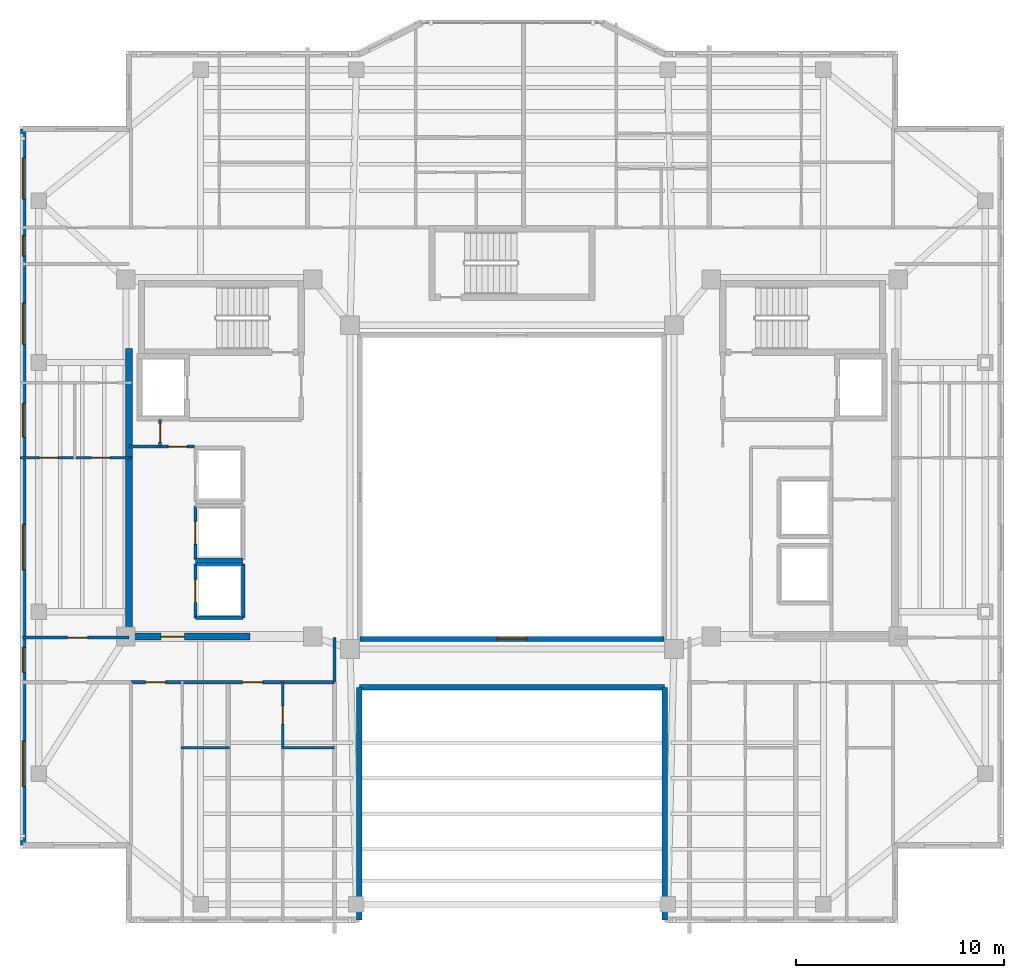
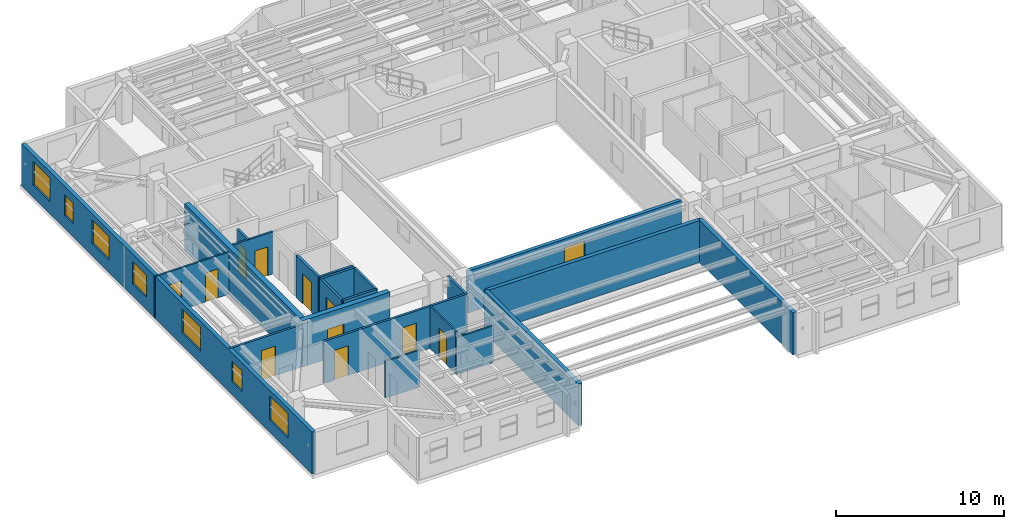
# One storey, part 5 of 13: 22 walls, 11 doors, 8 windows, 19 openings.
"""IFC4 building model written with IfcOpenShell, lengths in metres."""

import ifcopenshell
import ifcopenshell.guid

model = None  # the IFC model being written
_history = None  # IfcOwnerHistory: only IFC2X3 demands one
_inside = {}  # id of a spatial element -> (the spatial element, [elements in it])
_under = {}  # id of a project, library or spatial element -> (it, [spatial elements below it])
_declared = {}  # id of a project -> (the project, [libraries it declares])
_typed = {}  # id of a type object -> (the type object, [elements of that type])
_made_of = {}  # id of a material, layer set ... -> (it, [elements and type objects made of it])


def new_model(schema):
    """Start an empty IFC model of exactly this schema.

    Asked for "IFC4X3", IfcOpenShell would pick the latest addendum, in which some entities
    have other attributes; the version numbers below select the first issue.
    IFC2X3 requires an IfcOwnerHistory on every rooted entity: one is made here for all.
    """
    global model, _history
    if schema == "IFC4X3":
        model = ifcopenshell.file(schema_version=(4, 3, 0, 0))
    else:
        model = ifcopenshell.file(schema=schema)
    _inside.clear()
    _under.clear()
    _declared.clear()
    _typed.clear()
    _made_of.clear()
    _history = None
    if model.schema == "IFC2X3":
        org = make("IfcOrganization", Name="unknown")
        user = make(
            "IfcPersonAndOrganization",
            ThePerson=make("IfcPerson", FamilyName="unknown"),
            TheOrganization=org,
        )
        app = make(
            "IfcApplication",
            ApplicationDeveloper=org,
            Version="unknown",
            ApplicationFullName="unknown",
            ApplicationIdentifier="unknown",
        )
        _history = make(
            "IfcOwnerHistory",
            OwningUser=user,
            OwningApplication=app,
            ChangeAction="ADDED",
            CreationDate=0,
        )
    return model


def make(cls, **values):
    """One entity of the class cls with the attributes given. An attribute that is None is left unset."""
    return model.create_entity(
        cls, **{name: value for name, value in values.items() if value is not None}
    )


def rooted(cls, **values):
    """An entity with a GlobalId (a new one), such as an element, a storey or a relation."""
    return make(cls, GlobalId=ifcopenshell.guid.new(), OwnerHistory=_history, **values)


def si_unit(unit_type, name, prefix=None):
    """IfcSIUnit, for example si_unit("LENGTHUNIT", "METRE", prefix="MILLI")."""
    return make("IfcSIUnit", UnitType=unit_type, Prefix=prefix, Name=name)


def assignment(units):
    """IfcUnitAssignment: the units of a project."""
    return None if units is None else make("IfcUnitAssignment", Units=units)


def point(xyz):
    """IfcCartesianPoint."""
    return None if xyz is None else make("IfcCartesianPoint", Coordinates=xyz)


def direction(xyz):
    """IfcDirection."""
    return None if xyz is None else make("IfcDirection", DirectionRatios=xyz)


def frame(location, z_axis=None, x_axis=None):
    """IfcAxis2Placement3D, a coordinate frame: its origin and axes. An axis left out is left unset."""
    return make(
        "IfcAxis2Placement3D",
        Location=point(location),
        Axis=direction(z_axis),
        RefDirection=direction(x_axis),
    )


def frame_2d(location, x_axis=None):
    """IfcAxis2Placement2D, a coordinate frame in the plane: its origin and x axis."""
    return make(
        "IfcAxis2Placement2D", Location=point(location), RefDirection=direction(x_axis)
    )


def origin():
    """The frame at (0, 0, 0) with its axes left unset."""
    return frame((0.0, 0.0, 0.0))


def place(relative_to, where):
    """IfcLocalPlacement: puts the frame where relative to a parent placement (None: the world)."""
    return make(
        "IfcLocalPlacement", PlacementRelTo=relative_to, RelativePlacement=where
    )


def context(
    kind, dimensions, precision=None, world=None, true_north=None, identifier=None
):
    """IfcGeometricRepresentationContext, for example the 3D "Model" context."""
    return make(
        "IfcGeometricRepresentationContext",
        ContextIdentifier=identifier,
        ContextType=kind,
        CoordinateSpaceDimension=dimensions,
        Precision=precision,
        WorldCoordinateSystem=world,
        TrueNorth=true_north,
    )


def subcontext(parent, identifier, kind, view, scale=None):
    """IfcGeometricRepresentationSubContext, for example "Body" below "Model"."""
    return make(
        "IfcGeometricRepresentationSubContext",
        ContextIdentifier=identifier,
        ContextType=kind,
        ParentContext=parent,
        TargetScale=scale,
        TargetView=view,
    )


def project(units=None, contexts=None):
    """IfcProject with its units and contexts."""
    return rooted(
        "IfcProject",
        Name="project",
        RepresentationContexts=contexts,
        UnitsInContext=assignment(units),
    )


def spatial(cls, under=None, at=None, **own):
    """A site, building, storey or space (cls), placed at a placement, below another one or the project."""
    s = rooted(cls, ObjectPlacement=at, **own)
    if under is not None:
        _under.setdefault(under.id(), (under, []))[1].append(s)
    return s


def profile(cls, at=None, kind="AREA", **sizes):
    """A parametric profile (cls). Its sizes go by their IFC names, for example OverallWidth=200.0."""
    return make(cls, ProfileType=kind, Position=at, **sizes)


def rectangle(**sizes):
    """IfcRectangleProfileDef."""
    return profile("IfcRectangleProfileDef", **sizes)


def extrude(swept, where, along, depth):
    """IfcExtrudedAreaSolid: the profile swept, set in the frame where, extruded along a direction by depth."""
    return make(
        "IfcExtrudedAreaSolid",
        SweptArea=swept,
        Position=where,
        ExtrudedDirection=direction(along),
        Depth=depth,
    )


def shape(context_of_items, identifier, shape_type, items):
    """IfcShapeRepresentation: the items that make up one representation, for example the "Body"."""
    return make(
        "IfcShapeRepresentation",
        ContextOfItems=context_of_items,
        RepresentationIdentifier=identifier,
        RepresentationType=shape_type,
        Items=items,
    )


def material(Name=None, Category=None):
    """IfcMaterial."""
    return make("IfcMaterial", Name=Name, Category=Category)


def layer(
    of_material, thickness, ventilated=None, Name=None, Category=None, Priority=None
):
    """IfcMaterialLayer: one layer of a wall or slab, of a material (None: an air gap)."""
    return make(
        "IfcMaterialLayer",
        Material=of_material,
        LayerThickness=thickness,
        IsVentilated=ventilated,
        Name=Name,
        Category=Category,
        Priority=Priority,
    )


def layer_set(layers, Name=None):
    """IfcMaterialLayerSet."""
    return make("IfcMaterialLayerSet", MaterialLayers=layers, LayerSetName=Name)


def made_of(thing, what):
    """Note that an element or type object is made of a material, layer set ...; save() writes the relation."""
    if what is not None:
        _made_of.setdefault(what.id(), (what, []))[1].append(thing)
    return thing


def type_object(cls, material=None, **own):
    """A type object (cls), such as IfcWallType, which elements share."""
    return made_of(rooted(cls, **own), material)


def element(
    cls,
    number,
    at=None,
    inside=None,
    cuts=None,
    type_object=None,
    material=None,
    context=None,
    identifier="Body",
    shape_type=None,
    held_by="IfcProductDefinitionShape",
    body=None,
    shapes=None,
    **own,
):
    """One element of the class cls, such as IfcWall. Its Tag is "e" and its number.

    at: its placement. inside: the storey or other place that contains it. cuts: it is an
    opening in that element (IfcRelVoidsElement). A single representation is given by context,
    identifier, shape_type and body (its items); several are given by shapes. held_by: the class
    of the entity that holds the representations. save() writes the other relations.
    """
    e = rooted(cls, Tag="e%d" % number, ObjectPlacement=at, **own)
    if body is not None:
        shapes = [shape(context, identifier, shape_type, body)]
    if shapes is not None:
        e.Representation = make(held_by, Representations=shapes)
    if inside is not None:
        _inside.setdefault(inside.id(), (inside, []))[1].append(e)
    if cuts is not None:
        rooted(
            "IfcRelVoidsElement", RelatingBuildingElement=cuts, RelatedOpeningElement=e
        )
    if type_object is not None:
        _typed.setdefault(type_object.id(), (type_object, []))[1].append(e)
    return made_of(e, material)


def fill(opening, filler):
    """IfcRelFillsElement: the door or window that sits in an opening."""
    return rooted(
        "IfcRelFillsElement",
        RelatingOpeningElement=opening,
        RelatedBuildingElement=filler,
    )


def aggregate(whole, parts):
    """IfcRelAggregates: a whole, such as a stair, and the parts it consists of."""
    return rooted("IfcRelAggregates", RelatingObject=whole, RelatedObjects=parts)


def save(model, path):
    """Write the relations noted so far, then the file.

    IfcRelAggregates (storeys below a building ...), IfcRelContainedInSpatialStructure (elements
    in a storey), IfcRelDefinesByType, IfcRelAssociatesMaterial and IfcRelDeclares: one each for
    every whole, place, type object, material and project.
    """
    for whole, parts in _under.values():
        aggregate(whole, parts)
    for where, things in _inside.values():
        rooted(
            "IfcRelContainedInSpatialStructure",
            RelatedElements=things,
            RelatingStructure=where,
        )
    for kind, things in _typed.values():
        rooted("IfcRelDefinesByType", RelatedObjects=things, RelatingType=kind)
    for what, things in _made_of.values():
        rooted("IfcRelAssociatesMaterial", RelatedObjects=things, RelatingMaterial=what)
    for by, libraries in _declared.values():
        rooted("IfcRelDeclares", RelatingContext=by, RelatedDefinitions=libraries)
    model.write(path)


model = new_model("IFC4")

# Units and contexts
model_context = context("Model", 3, precision=1e-05, world=origin(), true_north=direction((0.0, 1.0)))
body_context = subcontext(model_context, "Body", "Model", "MODEL_VIEW")
ifc_project = project(units=[si_unit("LENGTHUNIT", "METRE"), si_unit("AREAUNIT", "SQUARE_METRE"), si_unit("VOLUMEUNIT", "CUBIC_METRE"), si_unit("PLANEANGLEUNIT", "RADIAN"), si_unit("MASSUNIT", "GRAM", prefix="KILO")], contexts=[model_context])

# Site, building, storey
site_placement = place(None, origin())
site = spatial("IfcSite", under=ifc_project, at=site_placement, CompositionType="ELEMENT")
building_placement = place(site_placement, origin())
building = spatial("IfcBuilding", under=site, at=building_placement, Name="Tarnavaz Court Tower", CompositionType="ELEMENT")
storey_placement = place(building_placement, frame((0.0, 0.0, 223.75)))
storey = spatial("IfcBuildingStorey", under=building, at=storey_placement, Name="L61", CompositionType="ELEMENT", Elevation=223.75)

# Wall
ifc_material_1 = material(Name="Concrete C50/60", Category="concrete")
ifc_layer_1 = layer(ifc_material_1, 0.35009765625)
ifc_layer_set_1 = layer_set([ifc_layer_1], Name="Concrete C50/60")
wall_type_1 = type_object("IfcWallType", Name="WL-CORE-350-C50", PredefinedType="SHEAR", material=ifc_layer_set_1)
wall_1_placement = place(storey_placement, frame((-18.449951171875, -7.375, 0.0), z_axis=(0.0, 0.0, 1.0), x_axis=(0.0, 1.0, 0.0)))
element("IfcWall", 1, at=wall_1_placement, inside=storey, type_object=wall_type_1, Name="L61 West Core Shear Wall 045", PredefinedType="SHEAR", context=body_context, shape_type="SweptSolid", body=[
    extrude(rectangle(XDim=14.050048828125, YDim=0.35009765625, at=frame_2d((7.02490234375, 0.0))), origin(), (0.0, 0.0, 1.0), 3.35009765625),
])

# Wall, opening, door
wall_2_placement = place(storey_placement, frame((-18.625, -7.199951171875, 0.0), z_axis=(0.0, 0.0, 1.0), x_axis=(1.0, 0.0, 0.0)))
wall_2 = element("IfcWall", 2, at=wall_2_placement, inside=storey, type_object=wall_type_1, Name="L61 West Core South Shear Wall 046", PredefinedType="SHEAR", context=body_context, shape_type="SweptSolid", body=[
    extrude(rectangle(XDim=6.0, YDim=0.35009765625, at=frame_2d((3.0, 0.0))), origin(), (0.0, 0.0, 1.0), 3.35009765625),
])
opening_1_placement = place(wall_2_placement, frame((1.72509765625, 0.0, 0.0)))
opening_1 = element("IfcOpeningElement", 3, at=opening_1_placement, cuts=wall_2, Name="Opening D04", PredefinedType="OPENING", context=body_context, shape_type="SweptSolid", body=[
    extrude(rectangle(XDim=1.1201171875, YDim=2.14990234375, at=frame_2d((0.56005859375, 1.074951171875))), frame((0.0, 0.18505859375, 0.0), z_axis=(0.0, -1.0, 0.0), x_axis=(1.0, 0.0, 0.0)), (0.0, 0.0, 1.0), 0.3701171875),
])
ifc_material_2 = material(Name="Fire-Rated Hardwood Timber Core", Category="wood")
door_type_1 = type_object("IfcDoorType", Name="DR-FD60-1100", OperationType="NOTDEFINED", PredefinedType="DOOR", material=ifc_material_2)
door_1_placement = place(opening_1_placement, origin())
door_1 = element("IfcDoor", 4, at=door_1_placement, inside=storey, type_object=door_type_1, Name="L61 West High-Rise Lift Lobby Door", OperationType="SINGLE_SWING_LEFT", OverallHeight=2.14990234375, OverallWidth=1.1201171875, PredefinedType="DOOR", context=body_context, shape_type="SweptSolid", body=[
    extrude(rectangle(XDim=1.1201171875, YDim=2.14990234375, at=frame_2d((0.56005859375, 1.074951171875))), frame((0.0, 0.02490234375, 0.0), z_axis=(0.0, -1.0, 0.0), x_axis=(1.0, 0.0, 0.0)), (0.0, 0.0, 1.0), 0.050048828125),
])
fill(opening_1, door_1)

# Wall, openings, windows
ifc_material_3 = material(Name="Precast Concrete C40/50", Category="concrete")
ifc_layer_2 = layer(ifc_material_3, 0.260009765625)
ifc_layer_set_2 = layer_set([ifc_layer_2], Name="Precast Concrete C40/50")
wall_type_2 = type_object("IfcWallType", Name="WL-EXT-260", PredefinedType="SOLIDWALL", material=ifc_layer_set_2)
wall_3_placement = place(storey_placement, frame((-23.550048828125, -17.25, 0.0), z_axis=(0.0, 0.0, 1.0), x_axis=(0.0, 1.0, 0.0)))
wall_3 = element("IfcWall", 5, at=wall_3_placement, inside=storey, type_object=wall_type_2, Name="L61 Exterior Terracotta Facade Wall 02", PredefinedType="SOLIDWALL", context=body_context, shape_type="SweptSolid", body=[
    extrude(rectangle(XDim=34.5, YDim=0.260009765625, at=frame_2d((17.25, 0.0))), origin(), (0.0, 0.0, 1.0), 3.050048828125),
])
opening_2_placement = place(wall_3_placement, frame((2.824951171875, 0.0, 0.89990234375)))
opening_2 = element("IfcOpeningElement", 6, at=opening_2_placement, cuts=wall_3, Name="Opening W07", PredefinedType="OPENING", context=body_context, shape_type="SweptSolid", body=[
    extrude(rectangle(XDim=2.199951171875, YDim=1.75, at=frame_2d((1.10009765625, 0.875))), frame((0.0, 0.139892578125, 0.0), z_axis=(0.0, -1.0, 0.0), x_axis=(1.0, 0.0, 0.0)), (0.0, 0.0, 1.0), 0.280029296875),
])
opening_3_placement = place(wall_3_placement, frame((8.324951171875, 0.0, 0.949951171875)))
opening_3 = element("IfcOpeningElement", 7, at=opening_3_placement, cuts=wall_3, Name="Opening W05", PredefinedType="OPENING", context=body_context, shape_type="SweptSolid", body=[
    extrude(rectangle(XDim=1.199951171875, YDim=1.5, at=frame_2d((0.60009765625, 0.75))), frame((0.0, 0.139892578125, 0.0), z_axis=(0.0, -1.0, 0.0), x_axis=(1.0, 0.0, 0.0)), (0.0, 0.0, 1.0), 0.280029296875),
])
opening_4_placement = place(wall_3_placement, frame((13.25, 0.0, 0.89990234375)))
opening_4 = element("IfcOpeningElement", 8, at=opening_4_placement, cuts=wall_3, Name="Opening W07", PredefinedType="OPENING", context=body_context, shape_type="SweptSolid", body=[
    extrude(rectangle(XDim=2.199951171875, YDim=1.75, at=frame_2d((1.10009765625, 0.875))), frame((0.0, 0.139892578125, 0.0), z_axis=(0.0, -1.0, 0.0), x_axis=(1.0, 0.0, 0.0)), (0.0, 0.0, 1.0), 0.280029296875),
])
opening_5_placement = place(wall_3_placement, frame((19.64990234375, 0.0, 0.89990234375)))
opening_5 = element("IfcOpeningElement", 9, at=opening_5_placement, cuts=wall_3, Name="Opening W02", PredefinedType="OPENING", context=body_context, shape_type="SweptSolid", body=[
    extrude(rectangle(XDim=1.64990234375, YDim=1.60009765625, at=frame_2d((0.824951171875, 0.800048828125))), frame((0.0, 0.139892578125, 0.0), z_axis=(0.0, -1.0, 0.0), x_axis=(1.0, 0.0, 0.0)), (0.0, 0.0, 1.0), 0.280029296875),
])
opening_6_placement = place(wall_3_placement, frame((24.125, 0.0, 0.89990234375)))
opening_6 = element("IfcOpeningElement", 10, at=opening_6_placement, cuts=wall_3, Name="Opening W08", PredefinedType="OPENING", context=body_context, shape_type="SweptSolid", body=[
    extrude(rectangle(XDim=2.0, YDim=1.699951171875, at=frame_2d((1.0, 0.85009765625))), frame((0.0, 0.139892578125, 0.0), z_axis=(0.0, -1.0, 0.0), x_axis=(1.0, 0.0, 0.0)), (0.0, 0.0, 1.0), 0.280029296875),
])
opening_7_placement = place(wall_3_placement, frame((28.375, 0.0, 0.949951171875)))
opening_7 = element("IfcOpeningElement", 11, at=opening_7_placement, cuts=wall_3, Name="Opening W14", PredefinedType="OPENING", context=body_context, shape_type="SweptSolid", body=[
    extrude(rectangle(XDim=1.0, YDim=1.5, at=frame_2d((0.5, 0.75))), frame((0.0, 0.139892578125, 0.0), z_axis=(0.0, -1.0, 0.0), x_axis=(1.0, 0.0, 0.0)), (0.0, 0.0, 1.0), 0.280029296875),
])
opening_8_placement = place(wall_3_placement, frame((31.125, 0.0, 0.89990234375)))
opening_8 = element("IfcOpeningElement", 12, at=opening_8_placement, cuts=wall_3, Name="Opening W08", PredefinedType="OPENING", context=body_context, shape_type="SweptSolid", body=[
    extrude(rectangle(XDim=2.0, YDim=1.699951171875, at=frame_2d((1.0, 0.85009765625))), frame((0.0, 0.139892578125, 0.0), z_axis=(0.0, -1.0, 0.0), x_axis=(1.0, 0.0, 0.0)), (0.0, 0.0, 1.0), 0.280029296875),
])
ifc_material_4 = material(Name="Double-Glazed Solar Low-E Glass", Category="glass")
window_type_1 = type_object("IfcWindowType", Name="WN-APT-1000", PartitioningType="SINGLE_PANEL", PredefinedType="WINDOW", material=ifc_material_4)
window_1_placement = place(opening_7_placement, origin())
window_1 = element("IfcWindow", 13, at=window_1_placement, inside=storey, type_object=window_type_1, Name="L61 North-West Corner Corridor Window", OverallHeight=1.5, OverallWidth=1.0, PartitioningType="SINGLE_PANEL", PredefinedType="WINDOW", context=body_context, shape_type="SweptSolid", body=[
    extrude(rectangle(XDim=1.0, YDim=1.5, at=frame_2d((0.5, 0.75))), frame((0.0, 0.030029296875, 0.0), z_axis=(0.0, -1.0, 0.0), x_axis=(1.0, 0.0, 0.0)), (0.0, 0.0, 1.0), 0.06005859375),
])
fill(opening_7, window_1)
window_type_2 = type_object("IfcWindowType", Name="WN-APT-1200", PartitioningType="SINGLE_PANEL", PredefinedType="WINDOW", material=ifc_material_4)
window_2_placement = place(opening_3_placement, origin())
window_2 = element("IfcWindow", 14, at=window_2_placement, inside=storey, type_object=window_type_2, Name="L61 South-West Corner Corridor Window", OverallHeight=1.5, OverallWidth=1.199951171875, PartitioningType="SINGLE_PANEL", PredefinedType="WINDOW", context=body_context, shape_type="SweptSolid", body=[
    extrude(rectangle(XDim=1.199951171875, YDim=1.5, at=frame_2d((0.60009765625, 0.75))), frame((0.0, 0.030029296875, 0.0), z_axis=(0.0, -1.0, 0.0), x_axis=(1.0, 0.0, 0.0)), (0.0, 0.0, 1.0), 0.06005859375),
])
fill(opening_3, window_2)
window_type_3 = type_object("IfcWindowType", Name="WN-APT-1650", PartitioningType="DOUBLE_PANEL_VERTICAL", PredefinedType="WINDOW", material=ifc_material_4)
window_3_placement = place(opening_5_placement, origin())
window_3 = element("IfcWindow", 15, at=window_3_placement, inside=storey, type_object=window_type_3, Name="L61 Flat 09 Kitchen Window", OverallHeight=1.60009765625, OverallWidth=1.64990234375, PartitioningType="SINGLE_PANEL", PredefinedType="WINDOW", context=body_context, shape_type="SweptSolid", body=[
    extrude(rectangle(XDim=1.64990234375, YDim=1.60009765625, at=frame_2d((0.824951171875, 0.800048828125))), frame((0.0, 0.030029296875, 0.0), z_axis=(0.0, -1.0, 0.0), x_axis=(1.0, 0.0, 0.0)), (0.0, 0.0, 1.0), 0.06005859375),
])
fill(opening_5, window_3)
window_type_4 = type_object("IfcWindowType", Name="WN-APT-2000", PartitioningType="DOUBLE_PANEL_VERTICAL", PredefinedType="WINDOW", material=ifc_material_4)
window_4_placement = place(opening_6_placement, origin())
window_4 = element("IfcWindow", 16, at=window_4_placement, inside=storey, type_object=window_type_4, Name="L61 Flat 09 Study Room Window", OverallHeight=1.699951171875, OverallWidth=2.0, PartitioningType="SINGLE_PANEL", PredefinedType="WINDOW", context=body_context, shape_type="SweptSolid", body=[
    extrude(rectangle(XDim=2.0, YDim=1.699951171875, at=frame_2d((1.0, 0.85009765625))), frame((0.0, 0.030029296875, 0.0), z_axis=(0.0, -1.0, 0.0), x_axis=(1.0, 0.0, 0.0)), (0.0, 0.0, 1.0), 0.06005859375),
])
fill(opening_6, window_4)
window_5_placement = place(opening_8_placement, origin())
window_5 = element("IfcWindow", 17, at=window_5_placement, inside=storey, type_object=window_type_4, Name="L61 North-West Corner Sunroom Study Window", OverallHeight=1.699951171875, OverallWidth=2.0, PartitioningType="SINGLE_PANEL", PredefinedType="WINDOW", context=body_context, shape_type="SweptSolid", body=[
    extrude(rectangle(XDim=2.0, YDim=1.699951171875, at=frame_2d((1.0, 0.85009765625))), frame((0.0, 0.030029296875, 0.0), z_axis=(0.0, -1.0, 0.0), x_axis=(1.0, 0.0, 0.0)), (0.0, 0.0, 1.0), 0.06005859375),
])
fill(opening_8, window_5)
window_type_5 = type_object("IfcWindowType", Name="WN-APT-2200", PartitioningType="TRIPLE_PANEL_VERTICAL", PredefinedType="WINDOW", material=ifc_material_4)
window_6_placement = place(opening_2_placement, origin())
window_6 = element("IfcWindow", 18, at=window_6_placement, inside=storey, type_object=window_type_5, Name="L61 South-West Corner Reading Room Window", OverallHeight=1.75, OverallWidth=2.199951171875, PartitioningType="SINGLE_PANEL", PredefinedType="WINDOW", context=body_context, shape_type="SweptSolid", body=[
    extrude(rectangle(XDim=2.199951171875, YDim=1.75, at=frame_2d((1.10009765625, 0.875))), frame((0.0, 0.030029296875, 0.0), z_axis=(0.0, -1.0, 0.0), x_axis=(1.0, 0.0, 0.0)), (0.0, 0.0, 1.0), 0.06005859375),
])
fill(opening_2, window_6)
window_7_placement = place(opening_4_placement, origin())
window_7 = element("IfcWindow", 19, at=window_7_placement, inside=storey, type_object=window_type_5, Name="L61 Flat 09 Studio Living and Sleeping Room Window", OverallHeight=1.75, OverallWidth=2.199951171875, PartitioningType="SINGLE_PANEL", PredefinedType="WINDOW", context=body_context, shape_type="SweptSolid", body=[
    extrude(rectangle(XDim=2.199951171875, YDim=1.75, at=frame_2d((1.10009765625, 0.875))), frame((0.0, 0.030029296875, 0.0), z_axis=(0.0, -1.0, 0.0), x_axis=(1.0, 0.0, 0.0)), (0.0, 0.0, 1.0), 0.06005859375),
])
fill(opening_4, window_7)

# Walls
wall_4_placement = place(storey_placement, frame((7.35009765625, -20.85009765625, 0.0), z_axis=(0.0, 0.0, 1.0), x_axis=(0.0, 1.0, 0.0)))
element("IfcWall", 20, at=wall_4_placement, inside=storey, type_object=wall_type_2, Name="L61 Exterior Terracotta Facade Wall 16", PredefinedType="SOLIDWALL", context=body_context, shape_type="SweptSolid", body=[
    extrude(rectangle(XDim=11.2001953125, YDim=0.260009765625, at=frame_2d((5.60009765625, 0.0))), origin(), (0.0, 0.0, 1.0), 3.050048828125),
])
wall_5_placement = place(storey_placement, frame((7.35009765625, -9.64990234375, 0.0), z_axis=(0.0, 0.0, 1.0), x_axis=(-1.0, 0.0, 0.0)))
element("IfcWall", 21, at=wall_5_placement, inside=storey, type_object=wall_type_2, Name="L61 Exterior Terracotta Facade Wall 17", PredefinedType="SOLIDWALL", context=body_context, shape_type="SweptSolid", body=[
    extrude(rectangle(XDim=14.7001953125, YDim=0.260009765625, at=frame_2d((7.35009765625, 0.0))), origin(), (0.0, 0.0, 1.0), 3.050048828125),
])
wall_6_placement = place(storey_placement, frame((-7.35009765625, -9.64990234375, 0.0), z_axis=(0.0, 0.0, 1.0), x_axis=(0.0, -1.0, 0.0)))
element("IfcWall", 22, at=wall_6_placement, inside=storey, type_object=wall_type_2, Name="L61 Exterior Terracotta Facade Wall 18", PredefinedType="SOLIDWALL", context=body_context, shape_type="SweptSolid", body=[
    extrude(rectangle(XDim=11.2001953125, YDim=0.260009765625, at=frame_2d((5.60009765625, 0.0))), origin(), (0.0, 0.0, 1.0), 3.050048828125),
])

# Wall, openings, doors
ifc_material_5 = material(Name="Gypsum Fire-Board on Acoustic Metal Stud", Category="masonry")
ifc_layer_3 = layer(ifc_material_5, 0.14990234375)
ifc_layer_set_3 = layer_set([ifc_layer_3], Name="Gypsum Fire-Board on Acoustic Metal Stud")
wall_type_3 = type_object("IfcWallType", Name="WL-FIRE-150", PredefinedType="PARTITIONING", material=ifc_layer_set_3)
wall_7_placement = place(storey_placement, frame((-18.35009765625, -9.39990234375, 0.0), z_axis=(0.0, 0.0, 1.0), x_axis=(1.0, 0.0, 0.0)))
wall_7 = element("IfcWall", 23, at=wall_7_placement, inside=storey, type_object=wall_type_3, Name="L61 SW Lobby Wall 060", PredefinedType="PARTITIONING", context=body_context, shape_type="SweptSolid", body=[
    extrude(rectangle(XDim=9.800048828125, YDim=0.14990234375, at=frame_2d((4.89990234375, 0.0))), origin(), (0.0, 0.0, 1.0), 3.050048828125),
])
opening_9_placement = place(wall_7_placement, frame((0.699951171875, 0.0, 0.0)))
opening_9 = element("IfcOpeningElement", 24, at=opening_9_placement, cuts=wall_7, Name="Opening D06", PredefinedType="OPENING", context=body_context, shape_type="SweptSolid", body=[
    extrude(rectangle(XDim=0.9599609375, YDim=2.14990234375, at=frame_2d((0.47998046875, 1.074951171875))), frame((0.0, 0.0849609375, 0.0), z_axis=(0.0, -1.0, 0.0), x_axis=(1.0, 0.0, 0.0)), (0.0, 0.0, 1.0), 0.169921875),
])
opening_10_placement = place(wall_7_placement, frame((5.3798828125, 0.0, 0.0)))
opening_10 = element("IfcOpeningElement", 25, at=opening_10_placement, cuts=wall_7, Name="Opening D06", PredefinedType="OPENING", context=body_context, shape_type="SweptSolid", body=[
    extrude(rectangle(XDim=0.9599609375, YDim=2.14990234375, at=frame_2d((0.47998046875, 1.074951171875))), frame((0.0, 0.0849609375, 0.0), z_axis=(0.0, -1.0, 0.0), x_axis=(1.0, 0.0, 0.0)), (0.0, 0.0, 1.0), 0.169921875),
])
door_type_2 = type_object("IfcDoorType", Name="DR-FD60-950", OperationType="NOTDEFINED", PredefinedType="DOOR", material=ifc_material_2)
door_2_placement = place(opening_9_placement, origin())
door_2 = element("IfcDoor", 26, at=door_2_placement, inside=storey, type_object=door_type_2, Name="L61 Flat 05 Entrance Door", OperationType="SINGLE_SWING_RIGHT", OverallHeight=2.14990234375, OverallWidth=0.9599609375, PredefinedType="DOOR", context=body_context, shape_type="SweptSolid", body=[
    extrude(rectangle(XDim=0.9599609375, YDim=2.14990234375, at=frame_2d((0.47998046875, 1.074951171875))), frame((0.0, 0.02490234375, 0.0), z_axis=(0.0, -1.0, 0.0), x_axis=(1.0, 0.0, 0.0)), (0.0, 0.0, 1.0), 0.050048828125),
])
fill(opening_9, door_2)
door_3_placement = place(opening_10_placement, origin())
door_3 = element("IfcDoor", 27, at=door_3_placement, inside=storey, type_object=door_type_2, Name="L61 Flat 06 Entrance Door", OperationType="SINGLE_SWING_LEFT", OverallHeight=2.14990234375, OverallWidth=0.9599609375, PredefinedType="DOOR", context=body_context, shape_type="SweptSolid", body=[
    extrude(rectangle(XDim=0.9599609375, YDim=2.14990234375, at=frame_2d((0.47998046875, 1.074951171875))), frame((0.0, 0.02490234375, 0.0), z_axis=(0.0, -1.0, 0.0), x_axis=(1.0, 0.0, 0.0)), (0.0, 0.0, 1.0), 0.050048828125),
])
fill(opening_10, door_3)

# Wall
wall_8_placement = place(storey_placement, frame((-8.550048828125, -9.39990234375, 0.0), z_axis=(0.0, 0.0, 1.0), x_axis=(0.0, 1.0, 0.0)))
element("IfcWall", 28, at=wall_8_placement, inside=storey, type_object=wall_type_3, Name="L61 West Spine End Wall 062", PredefinedType="PARTITIONING", context=body_context, shape_type="SweptSolid", body=[
    extrude(rectangle(XDim=2.14990234375, YDim=0.14990234375, at=frame_2d((1.074951171875, 0.0))), origin(), (0.0, 0.0, 1.0), 3.050048828125),
])

# Wall, opening, door
wall_9_placement = place(storey_placement, frame((-23.580078125, -7.25, 0.0), z_axis=(0.0, 0.0, 1.0), x_axis=(1.0, 0.0, 0.0)))
wall_9 = element("IfcWall", 29, at=wall_9_placement, inside=storey, type_object=wall_type_3, Name="L61 Interior Partition 099", PredefinedType="PARTITIONING", context=body_context, shape_type="SweptSolid", body=[
    extrude(rectangle(XDim=5.130126953125, YDim=0.14990234375, at=frame_2d((2.56494140625, 0.0))), origin(), (0.0, 0.0, 1.0), 3.050048828125),
])
opening_11_placement = place(wall_9_placement, frame((2.179931640625, 0.0, 0.0)))
opening_11 = element("IfcOpeningElement", 30, at=opening_11_placement, cuts=wall_9, Name="Opening D06", PredefinedType="OPENING", context=body_context, shape_type="SweptSolid", body=[
    extrude(rectangle(XDim=0.9599609375, YDim=2.14990234375, at=frame_2d((0.47998046875, 1.074951171875))), frame((0.0, 0.0849609375, 0.0), z_axis=(0.0, -1.0, 0.0), x_axis=(1.0, 0.0, 0.0)), (0.0, 0.0, 1.0), 0.169921875),
])
door_4_placement = place(opening_11_placement, origin())
door_4 = element("IfcDoor", 31, at=door_4_placement, inside=storey, type_object=door_type_2, Name="L61 Flat 09 Entrance Door", OperationType="SINGLE_SWING_RIGHT", OverallHeight=2.14990234375, OverallWidth=0.9599609375, PredefinedType="DOOR", context=body_context, shape_type="SweptSolid", body=[
    extrude(rectangle(XDim=0.9599609375, YDim=2.14990234375, at=frame_2d((0.47998046875, 1.074951171875))), frame((0.0, 0.02490234375, 0.0), z_axis=(0.0, -1.0, 0.0), x_axis=(1.0, 0.0, 0.0)), (0.0, 0.0, 1.0), 0.050048828125),
])
fill(opening_11, door_4)

# Wall
ifc_material_6 = material(Name="Moisture-Resistant Gypsum Board Partition", Category="masonry")
ifc_layer_4 = layer(ifc_material_6, 0.1201171875)
ifc_layer_set_4 = layer_set([ifc_layer_4], Name="Moisture-Resistant Gypsum Board Partition")
wall_type_4 = type_object("IfcWallType", Name="WL-PART-120", PredefinedType="PARTITIONING", material=ifc_layer_set_4)
wall_10_placement = place(storey_placement, frame((-15.949951171875, -12.56005859375, 0.0), z_axis=(0.0, 0.0, 1.0), x_axis=(1.0, 0.0, 0.0)))
element("IfcWall", 32, at=wall_10_placement, inside=storey, type_object=wall_type_4, Name="L61 Interior Partition 086", PredefinedType="PARTITIONING", context=body_context, shape_type="SweptSolid", body=[
    extrude(rectangle(XDim=2.33984375, YDim=0.1201171875, at=frame_2d((1.169921875, 0.0))), origin(), (0.0, 0.0, 1.0), 2.675048828125),
])

# Wall, opening, door
wall_11_placement = place(storey_placement, frame((-11.035888671875, -12.56005859375, 0.0), z_axis=(0.0, 0.0, 1.0), x_axis=(0.0, 1.0, 0.0)))
wall_11 = element("IfcWall", 33, at=wall_11_placement, inside=storey, type_object=wall_type_4, Name="L61 Interior Partition 088", PredefinedType="PARTITIONING", context=body_context, shape_type="SweptSolid", body=[
    extrude(rectangle(XDim=3.219970703125, YDim=0.1201171875, at=frame_2d((1.60986328125, 0.0))), origin(), (0.0, 0.0, 1.0), 3.050048828125),
])
opening_12_placement = place(wall_11_placement, frame((1.139892578125, 0.0, 0.0)))
opening_12 = element("IfcOpeningElement", 34, at=opening_12_placement, cuts=wall_11, Name="Opening D14", PredefinedType="OPENING", context=body_context, shape_type="SweptSolid", body=[
    extrude(rectangle(XDim=0.8798828125, YDim=2.10009765625, at=frame_2d((0.43994140625, 1.050048828125))), frame((0.0, 0.070068359375, 0.0), z_axis=(0.0, -1.0, 0.0), x_axis=(1.0, 0.0, 0.0)), (0.0, 0.0, 1.0), 0.14013671875),
])
ifc_material_7 = material(Name="Engineered Oak Timber", Category="wood")
door_type_3 = type_object("IfcDoorType", Name="DR-INT-900", OperationType="NOTDEFINED", PredefinedType="DOOR", material=ifc_material_7)
door_5_placement = place(opening_12_placement, origin())
door_5 = element("IfcDoor", 35, at=door_5_placement, inside=storey, type_object=door_type_3, Name="L61 Flat 06 Bathroom Door", OperationType="SINGLE_SWING_LEFT", OverallHeight=2.10009765625, OverallWidth=0.8798828125, PredefinedType="DOOR", context=body_context, shape_type="SweptSolid", body=[
    extrude(rectangle(XDim=0.8798828125, YDim=2.10009765625, at=frame_2d((0.43994140625, 1.050048828125))), frame((0.0, 0.02490234375, 0.0), z_axis=(0.0, -1.0, 0.0), x_axis=(1.0, 0.0, 0.0)), (0.0, 0.0, 1.0), 0.050048828125),
])
fill(opening_12, door_5)

# Wall
wall_12_placement = place(storey_placement, frame((-11.095947265625, -12.56005859375, 0.0), z_axis=(0.0, 0.0, 1.0), x_axis=(1.0, 0.0, 0.0)))
element("IfcWall", 36, at=wall_12_placement, inside=storey, type_object=wall_type_4, Name="L61 Interior Partition 089", PredefinedType="PARTITIONING", context=body_context, shape_type="SweptSolid", body=[
    extrude(rectangle(XDim=2.555908203125, YDim=0.1201171875, at=frame_2d((1.27783203125, 0.0))), origin(), (0.0, 0.0, 1.0), 2.675048828125),
])

# Wall, openings, doors
wall_13_placement = place(storey_placement, frame((-23.699951171875, 1.419921875, 0.0), z_axis=(0.0, 0.0, 1.0), x_axis=(1.0, 0.0, 0.0)))
wall_13 = element("IfcWall", 37, at=wall_13_placement, inside=storey, type_object=wall_type_4, Name="L61 Interior Partition 111", PredefinedType="PARTITIONING", context=body_context, shape_type="SweptSolid", body=[
    extrude(rectangle(XDim=5.369873046875, YDim=0.1201171875, at=frame_2d((2.68505859375, 0.0))), origin(), (0.0, 0.0, 1.0), 3.050048828125),
])
opening_13_placement = place(wall_13_placement, frame((0.93701171875, 0.0, 0.0)))
opening_13 = element("IfcOpeningElement", 38, at=opening_13_placement, cuts=wall_13, Name="Opening D14", PredefinedType="OPENING", context=body_context, shape_type="SweptSolid", body=[
    extrude(rectangle(XDim=0.8798828125, YDim=2.10009765625, at=frame_2d((0.43994140625, 1.050048828125))), frame((0.0, 0.070068359375, 0.0), z_axis=(0.0, -1.0, 0.0), x_axis=(1.0, 0.0, 0.0)), (0.0, 0.0, 1.0), 0.14013671875),
])
opening_14_placement = place(wall_13_placement, frame((3.451904296875, 0.0, 0.0)))
opening_14 = element("IfcOpeningElement", 39, at=opening_14_placement, cuts=wall_13, Name="Opening D14", PredefinedType="OPENING", context=body_context, shape_type="SweptSolid", body=[
    extrude(rectangle(XDim=0.8798828125, YDim=2.10009765625, at=frame_2d((0.43994140625, 1.050048828125))), frame((0.0, 0.070068359375, 0.0), z_axis=(0.0, -1.0, 0.0), x_axis=(1.0, 0.0, 0.0)), (0.0, 0.0, 1.0), 0.14013671875),
])
door_6_placement = place(opening_13_placement, origin())
door_6 = element("IfcDoor", 40, at=door_6_placement, inside=storey, type_object=door_type_3, Name="L61 Flat 09 Kitchen Door", OperationType="SINGLE_SWING_LEFT", OverallHeight=2.10009765625, OverallWidth=0.8798828125, PredefinedType="DOOR", context=body_context, shape_type="SweptSolid", body=[
    extrude(rectangle(XDim=0.8798828125, YDim=2.10009765625, at=frame_2d((0.43994140625, 1.050048828125))), frame((0.0, 0.02490234375, 0.0), z_axis=(0.0, -1.0, 0.0), x_axis=(1.0, 0.0, 0.0)), (0.0, 0.0, 1.0), 0.050048828125),
])
fill(opening_13, door_6)
door_7_placement = place(opening_14_placement, origin())
door_7 = element("IfcDoor", 41, at=door_7_placement, inside=storey, type_object=door_type_3, Name="L61 Flat 09 Bathroom Door", OperationType="SINGLE_SWING_RIGHT", OverallHeight=2.10009765625, OverallWidth=0.8798828125, PredefinedType="DOOR", context=body_context, shape_type="SweptSolid", body=[
    extrude(rectangle(XDim=0.8798828125, YDim=2.10009765625, at=frame_2d((0.43994140625, 1.050048828125))), frame((0.0, 0.02490234375, 0.0), z_axis=(0.0, -1.0, 0.0), x_axis=(1.0, 0.0, 0.0)), (0.0, 0.0, 1.0), 0.050048828125),
])
fill(opening_14, door_7)

# Wall, opening, door
ifc_material_8 = material(Name="Gypsum Plasterboard Acoustic Partition", Category="masonry")
ifc_layer_5 = layer(ifc_material_8, 0.139892578125)
ifc_layer_set_5 = layer_set([ifc_layer_5], Name="Gypsum Plasterboard Acoustic Partition")
wall_type_5 = type_object("IfcWallType", Name="WL-PART-150", PredefinedType="PARTITIONING", material=ifc_layer_set_5)
wall_14_placement = place(storey_placement, frame((-18.449951171875, 1.949951171875, 0.0), z_axis=(0.0, 0.0, 1.0), x_axis=(1.0, 0.0, 0.0)))
wall_14 = element("IfcWall", 42, at=wall_14_placement, inside=storey, type_object=wall_type_5, Name="L61 Interior Partition 049", PredefinedType="PARTITIONING", context=body_context, shape_type="SweptSolid", body=[
    extrude(rectangle(XDim=3.14990234375, YDim=0.139892578125, at=frame_2d((1.574951171875, 0.0))), origin(), (0.0, 0.0, 1.0), 3.050048828125),
])
opening_15_placement = place(wall_14_placement, frame((1.89990234375, 0.0, 0.0)))
opening_15 = element("IfcOpeningElement", 43, at=opening_15_placement, cuts=wall_14, Name="Opening D09", PredefinedType="OPENING", context=body_context, shape_type="SweptSolid", body=[
    extrude(rectangle(XDim=0.89990234375, YDim=2.080078125, at=frame_2d((0.449951171875, 1.0400390625))), frame((0.0, 0.079833984375, 0.0), z_axis=(0.0, -1.0, 0.0), x_axis=(1.0, 0.0, 0.0)), (0.0, 0.0, 1.0), 0.159912109375),
])
door_type_4 = type_object("IfcDoorType", Name="DR-FD30-900", OperationType="NOTDEFINED", PredefinedType="DOOR", material=ifc_material_2)
door_8_placement = place(opening_15_placement, origin())
door_8 = element("IfcDoor", 44, at=door_8_placement, inside=storey, type_object=door_type_4, Name="L61 West Sky Store Door", OperationType="SINGLE_SWING_RIGHT", OverallHeight=2.080078125, OverallWidth=0.89990234375, PredefinedType="DOOR", context=body_context, shape_type="SweptSolid", body=[
    extrude(rectangle(XDim=0.89990234375, YDim=2.080078125, at=frame_2d((0.449951171875, 1.0400390625))), frame((0.0, 0.02490234375, 0.0), z_axis=(0.0, -1.0, 0.0), x_axis=(1.0, 0.0, 0.0)), (0.0, 0.0, 1.0), 0.050048828125),
])
fill(opening_15, door_8)

wall_15_placement = place(storey_placement, frame((-16.949951171875, 1.949951171875, 0.0), z_axis=(0.0, 0.0, 1.0), x_axis=(0.0, 1.0, 0.0)))
wall_15 = element("IfcWall", 45, at=wall_15_placement, inside=storey, type_object=wall_type_5, Name="L61 Interior Partition 050", PredefinedType="PARTITIONING", context=body_context, shape_type="SweptSolid", body=[
    extrude(rectangle(XDim=1.300048828125, YDim=0.139892578125, at=frame_2d((0.64990234375, 0.0))), origin(), (0.0, 0.0, 1.0), 3.050048828125),
])
opening_16_placement = place(wall_15_placement, frame((0.219970703125, 0.0, 0.0)))
opening_16 = element("IfcOpeningElement", 46, at=opening_16_placement, cuts=wall_15, Name="Opening D09", PredefinedType="OPENING", context=body_context, shape_type="SweptSolid", body=[
    extrude(rectangle(XDim=0.89990234375, YDim=2.080078125, at=frame_2d((0.449951171875, 1.0400390625))), frame((0.0, 0.079833984375, 0.0), z_axis=(0.0, -1.0, 0.0), x_axis=(1.0, 0.0, 0.0)), (0.0, 0.0, 1.0), 0.159912109375),
])
door_9_placement = place(opening_16_placement, origin())
door_9 = element("IfcDoor", 47, at=door_9_placement, inside=storey, type_object=door_type_4, Name="L61 West Sky BMS Room Door", OperationType="SINGLE_SWING_LEFT", OverallHeight=2.080078125, OverallWidth=0.89990234375, PredefinedType="DOOR", context=body_context, shape_type="SweptSolid", body=[
    extrude(rectangle(XDim=0.89990234375, YDim=2.080078125, at=frame_2d((0.449951171875, 1.0400390625))), frame((0.0, 0.02490234375, 0.0), z_axis=(0.0, -1.0, 0.0), x_axis=(1.0, 0.0, 0.0)), (0.0, 0.0, 1.0), 0.050048828125),
])
fill(opening_16, door_9)

ifc_material_9 = material(Name="Autoclaved Aerated Concrete Blockwork", Category="masonry")
ifc_layer_6 = layer(ifc_material_9, 0.159912109375)
ifc_layer_set_6 = layer_set([ifc_layer_6], Name="Autoclaved Aerated Concrete Blockwork")
wall_type_6 = type_object("IfcWallType", Name="WL-SHAFT-150", PredefinedType="SOLIDWALL", material=ifc_layer_set_6)
wall_16_placement = place(storey_placement, frame((-15.25, -6.300048828125, 0.0), z_axis=(0.0, 0.0, 1.0), x_axis=(0.0, 1.0, 0.0)))
wall_16 = element("IfcWall", 48, at=wall_16_placement, inside=storey, type_object=wall_type_6, Name="L61 Lift PL-H1 Shaft Wall 021", PredefinedType="SOLIDWALL", context=body_context, shape_type="SweptSolid", body=[
    extrude(rectangle(XDim=2.60009765625, YDim=0.159912109375, at=frame_2d((1.300048828125, 0.0))), origin(), (0.0, 0.0, 1.0), 3.050048828125),
])
opening_17_placement = place(wall_16_placement, frame((0.75, 0.0, 0.0)))
opening_17 = element("IfcOpeningElement", 49, at=opening_17_placement, cuts=wall_16, Name="Opening LD1", PredefinedType="OPENING", context=body_context, shape_type="SweptSolid", body=[
    extrude(rectangle(XDim=1.10009765625, YDim=2.14990234375, at=frame_2d((0.550048828125, 1.074951171875))), frame((0.0, 0.08984375, 0.0), z_axis=(0.0, -1.0, 0.0), x_axis=(1.0, 0.0, 0.0)), (0.0, 0.0, 1.0), 0.179931640625),
])
ifc_material_10 = material(Name="Stainless Steel", Category="steel")
door_type_5 = type_object("IfcDoorType", Name="DR-LD-1100", OperationType="NOTDEFINED", PredefinedType="DOOR", material=ifc_material_10)
door_10_placement = place(opening_17_placement, origin())
door_10 = element("IfcDoor", 50, at=door_10_placement, inside=storey, type_object=door_type_5, Name="L61 Lift Landing Door LD-PL-H1", OperationType="SLIDING_TO_LEFT", OverallHeight=2.14990234375, OverallWidth=1.10009765625, PredefinedType="DOOR", context=body_context, shape_type="SweptSolid", body=[
    extrude(rectangle(XDim=1.10009765625, YDim=2.14990234375, at=frame_2d((0.550048828125, 1.074951171875))), frame((0.0, 0.02490234375, 0.0), z_axis=(0.0, -1.0, 0.0), x_axis=(1.0, 0.0, 0.0)), (0.0, 0.0, 1.0), 0.050048828125),
])
fill(opening_17, door_10)

# Walls
wall_17_placement = place(storey_placement, frame((-12.949951171875, -6.300048828125, 0.0), z_axis=(0.0, 0.0, 1.0), x_axis=(0.0, 1.0, 0.0)))
element("IfcWall", 51, at=wall_17_placement, inside=storey, type_object=wall_type_6, Name="L61 Lift PL-H1 Shaft Wall 022", PredefinedType="SOLIDWALL", context=body_context, shape_type="SweptSolid", body=[
    extrude(rectangle(XDim=2.60009765625, YDim=0.159912109375, at=frame_2d((1.300048828125, 0.0))), origin(), (0.0, 0.0, 1.0), 3.050048828125),
])
for number, where, z_axis, x_axis, name in (
    (52, (-15.25, -6.300048828125, 0.0), (0.0, 0.0, 1.0), (1.0, 0.0, 0.0), "L61 Lift PL-H1 Shaft Wall 023"),
    (53, (-15.25, -3.699951171875, 0.0), (0.0, 0.0, 1.0), (1.0, 0.0, 0.0), "L61 Lift PL-H1 Shaft Wall 024"),
):
    element("IfcWall", number, at=place(storey_placement, frame(where, z_axis=z_axis, x_axis=x_axis)), inside=storey, type_object=wall_type_6, Name=name, PredefinedType="SOLIDWALL", context=body_context, shape_type="SweptSolid", body=[
        extrude(rectangle(XDim=2.300048828125, YDim=0.159912109375, at=frame_2d((1.14990234375, 0.0))), origin(), (0.0, 0.0, 1.0), 3.050048828125),
    ])

# Wall, opening, door
wall_18_placement = place(storey_placement, frame((-15.25, -3.5, 0.0), z_axis=(0.0, 0.0, 1.0), x_axis=(0.0, 1.0, 0.0)))
wall_18 = element("IfcWall", 54, at=wall_18_placement, inside=storey, type_object=wall_type_6, Name="L61 Lift PL-H2 Shaft Wall 025", PredefinedType="SOLIDWALL", context=body_context, shape_type="SweptSolid", body=[
    extrude(rectangle(XDim=2.60009765625, YDim=0.159912109375, at=frame_2d((1.300048828125, 0.0))), origin(), (0.0, 0.0, 1.0), 3.050048828125),
])
opening_18_placement = place(wall_18_placement, frame((0.75, 0.0, 0.0)))
opening_18 = element("IfcOpeningElement", 55, at=opening_18_placement, cuts=wall_18, Name="Opening LD1", PredefinedType="OPENING", context=body_context, shape_type="SweptSolid", body=[
    extrude(rectangle(XDim=1.10009765625, YDim=2.14990234375, at=frame_2d((0.550048828125, 1.074951171875))), frame((0.0, 0.08984375, 0.0), z_axis=(0.0, -1.0, 0.0), x_axis=(1.0, 0.0, 0.0)), (0.0, 0.0, 1.0), 0.179931640625),
])
door_11_placement = place(opening_18_placement, origin())
door_11 = element("IfcDoor", 56, at=door_11_placement, inside=storey, type_object=door_type_5, Name="L61 Lift Landing Door LD-PL-H2", OperationType="SLIDING_TO_LEFT", OverallHeight=2.14990234375, OverallWidth=1.10009765625, PredefinedType="DOOR", context=body_context, shape_type="SweptSolid", body=[
    extrude(rectangle(XDim=1.10009765625, YDim=2.14990234375, at=frame_2d((0.550048828125, 1.074951171875))), frame((0.0, 0.02490234375, 0.0), z_axis=(0.0, -1.0, 0.0), x_axis=(1.0, 0.0, 0.0)), (0.0, 0.0, 1.0), 0.050048828125),
])
fill(opening_18, door_11)

# Wall
wall_19_placement = place(storey_placement, frame((-15.25, -3.5, 0.0), z_axis=(0.0, 0.0, 1.0), x_axis=(1.0, 0.0, 0.0)))
element("IfcWall", 57, at=wall_19_placement, inside=storey, type_object=wall_type_6, Name="L61 Lift PL-H2 Shaft Wall 027", PredefinedType="SOLIDWALL", context=body_context, shape_type="SweptSolid", body=[
    extrude(rectangle(XDim=2.300048828125, YDim=0.159912109375, at=frame_2d((1.14990234375, 0.0))), origin(), (0.0, 0.0, 1.0), 3.050048828125),
])

# Wall, opening, window
ifc_layer_7 = layer(ifc_material_3, 0.239990234375)
ifc_layer_set_7 = layer_set([ifc_layer_7], Name="Precast Concrete C40/50")
wall_type_7 = type_object("IfcWallType", Name="WL-WELL-240", PredefinedType="SOLIDWALL", material=ifc_layer_set_7)
wall_20_placement = place(storey_placement, frame((-7.320068359375, -7.320068359375, 0.0), z_axis=(0.0, 0.0, 1.0), x_axis=(1.0, 0.0, 0.0)))
wall_20 = element("IfcWall", 58, at=wall_20_placement, inside=storey, type_object=wall_type_7, Name="L61 Badgir Light-Well Exterior Wall S", PredefinedType="SOLIDWALL", context=body_context, shape_type="SweptSolid", body=[
    extrude(rectangle(XDim=14.64013671875, YDim=0.239990234375, at=frame_2d((7.320068359375, 0.0))), origin(), (0.0, 0.0, 1.0), 3.050048828125),
])
opening_19_placement = place(wall_20_placement, frame((6.6201171875, 0.0, 0.949951171875)))
opening_19 = element("IfcOpeningElement", 59, at=opening_19_placement, cuts=wall_20, Name="Opening W13", PredefinedType="OPENING", context=body_context, shape_type="SweptSolid", body=[
    extrude(rectangle(XDim=1.39990234375, YDim=1.5, at=frame_2d((0.699951171875, 0.75))), frame((0.0, 0.1298828125, 0.0), z_axis=(0.0, -1.0, 0.0), x_axis=(1.0, 0.0, 0.0)), (0.0, 0.0, 1.0), 0.260009765625),
])
window_type_6 = type_object("IfcWindowType", Name="WN-WEL-1400", PartitioningType="SINGLE_PANEL", PredefinedType="WINDOW", material=ifc_material_4)
window_8_placement = place(opening_19_placement, origin())
window_8 = element("IfcWindow", 60, at=window_8_placement, inside=storey, type_object=window_type_6, Name="L61 Courtyard Gallery Window S", OverallHeight=1.5, OverallWidth=1.39990234375, PartitioningType="SINGLE_PANEL", PredefinedType="WINDOW", context=body_context, shape_type="SweptSolid", body=[
    extrude(rectangle(XDim=1.39990234375, YDim=1.5, at=frame_2d((0.699951171875, 0.75))), frame((0.0, 0.030029296875, 0.0), z_axis=(0.0, -1.0, 0.0), x_axis=(1.0, 0.0, 0.0)), (0.0, 0.0, 1.0), 0.06005859375),
])
fill(opening_19, window_8)

save(model, "model.ifc")
